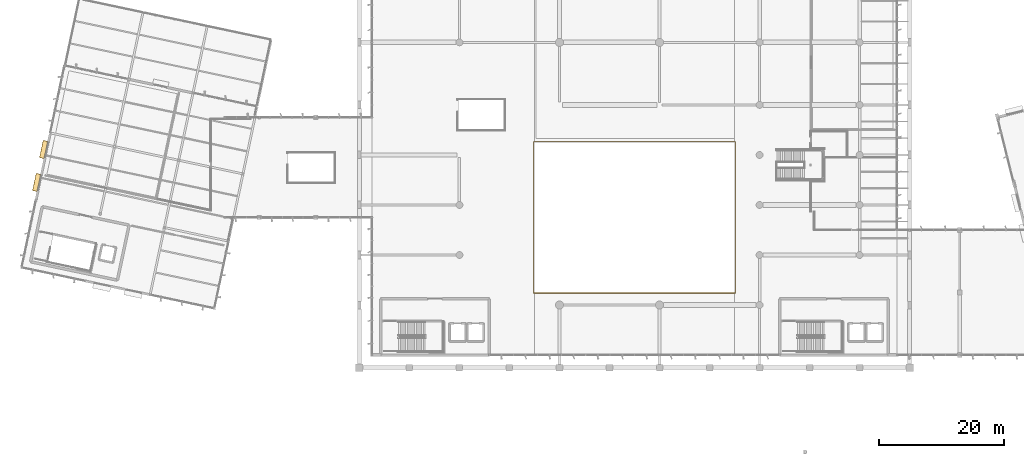
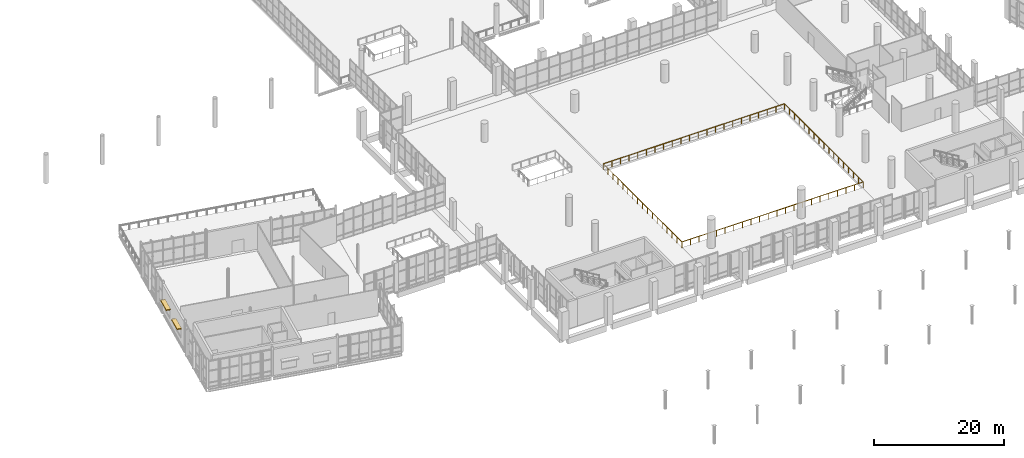
# One storey, part 163 of 176: 2 coverings, 2 shading devices, 1 railing.
"""IFC4 building model written with IfcOpenShell, lengths in metres."""

from ifc_helpers import new_model, si_unit, direction, frame, origin, origin_2d, place, context, subcontext, project, spatial, rectangle, extrude, material, layer, layer_set, type_object, element, save


model = new_model("IFC4")

# Units and contexts
model_context = context("Model", 3, precision=1e-05, world=origin(), true_north=direction((0.0, 1.0)))
body_context = subcontext(model_context, "Body", "Model", "MODEL_VIEW")
ifc_project = project(units=[si_unit("LENGTHUNIT", "METRE"), si_unit("AREAUNIT", "SQUARE_METRE"), si_unit("VOLUMEUNIT", "CUBIC_METRE"), si_unit("PLANEANGLEUNIT", "RADIAN"), si_unit("MASSUNIT", "GRAM", prefix="KILO")], contexts=[model_context])

# Site, building, storey
site_placement = place(None, origin())
site = spatial("IfcSite", under=ifc_project, at=site_placement, CompositionType="ELEMENT")
building_placement = place(site_placement, origin())
building = spatial("IfcBuilding", under=site, at=building_placement, Name="Khorjan Park Terminus", CompositionType="ELEMENT")
storey_placement = place(building_placement, frame((0.0, 0.0, 6.0)))
storey = spatial("IfcBuildingStorey", under=building, at=storey_placement, Name="L01", CompositionType="ELEMENT", Elevation=6.0)

# Coverings
ifc_material_1 = material(Name="Pigmented Precast GRC", Category="concrete")
ifc_layer = layer(ifc_material_1, 0.18)
ifc_layer_set = layer_set([ifc_layer], Name="Pigmented Precast GRC")
covering_type = type_object("IfcCoveringType", Name="CV-HOOD-GRC", PredefinedType="CLADDING", material=ifc_layer_set)
for number, where, z_axis, x_axis, name in (
    (1, (-2.489, 60.8749, 2.73), (0.0, 0.0, 1.0), (-0.207914283184, -0.978147049706, 0.0), "Projecting desert-sandstone GRC window eyebrow CL-HD1 (EW-V4-W-L01-B02-1)"),
    (2, (-3.6085, 55.6079, 2.73), (0.0, 0.0, 1.0), (-0.207914283184, -0.978147049706, 0.0), "Projecting desert-sandstone GRC window eyebrow CL-HD1 (EW-V4-W-L01-B02-2)"),
):
    element("IfcCovering", number, at=place(storey_placement, frame(where, z_axis=z_axis, x_axis=x_axis)), inside=storey, type_object=covering_type, Name=name, PredefinedType="CLADDING", context=body_context, shape_type="SweptSolid", body=[
        extrude(rectangle(XDim=2.84, YDim=0.74, at=origin_2d()), origin(), (0.0, 0.0, 1.0), 0.16),
    ])

# Railing
ifc_material_2 = material(Name="Anodized Bronze Aluminium & Laminated Glass", Category="aluminium")
railing_type = type_object("IfcRailingType", Name="GR-BAL", PredefinedType="BALUSTRADE", material=ifc_material_2)
railing_placement = place(storey_placement, frame((75.9, 37.9, 0.0)))
element("IfcRailing", 3, at=railing_placement, inside=storey, type_object=railing_type, Name="Perimeter safety guard GB-112 (L01-44)", PredefinedType="BALUSTRADE", context=body_context, shape_type="SweptSolid", body=[
    extrude(rectangle(XDim=0.048, YDim=0.048, at=origin_2d()), frame((0.0, 0.0, 1.096), z_axis=(1.0, 0.0, 0.0), x_axis=(0.0, 1.0, 0.0)), (0.0, 0.0, 1.0), 32.2),
    extrude(rectangle(XDim=0.048, YDim=0.048, at=origin_2d()), frame((32.2, 0.0, 1.096), z_axis=(0.0, 1.0, 0.0), x_axis=(-1.0, 0.0, 0.0)), (0.0, 0.0, 1.0), 24.2),
    extrude(rectangle(XDim=0.048, YDim=0.048, at=origin_2d()), frame((32.2, 24.2, 1.096), z_axis=(-1.0, 0.0, 0.0), x_axis=(0.0, -1.0, 0.0)), (0.0, 0.0, 1.0), 32.2),
    extrude(rectangle(XDim=0.048, YDim=0.048, at=origin_2d()), frame((0.0, 24.2, 1.096), z_axis=(0.0, -1.0, 0.0), x_axis=(1.0, 0.0, 0.0)), (0.0, 0.0, 1.0), 24.2),
    extrude(rectangle(XDim=0.042, YDim=0.042, at=origin_2d()), origin(), (0.0, 0.0, 1.0), 1.072),
    extrude(rectangle(XDim=0.042, YDim=0.042, at=origin_2d()), frame((1.5333, 0.0, 0.0)), (0.0, 0.0, 1.0), 1.072),
    extrude(rectangle(XDim=0.042, YDim=0.042, at=origin_2d()), frame((3.0667, 0.0, 0.0)), (0.0, 0.0, 1.0), 1.072),
    extrude(rectangle(XDim=0.042, YDim=0.042, at=origin_2d()), frame((4.6, 0.0, 0.0)), (0.0, 0.0, 1.0), 1.072),
    extrude(rectangle(XDim=0.042, YDim=0.042, at=origin_2d()), frame((6.1333, 0.0, 0.0)), (0.0, 0.0, 1.0), 1.072),
    extrude(rectangle(XDim=0.042, YDim=0.042, at=origin_2d()), frame((7.6667, 0.0, 0.0)), (0.0, 0.0, 1.0), 1.072),
    extrude(rectangle(XDim=0.042, YDim=0.042, at=origin_2d()), frame((9.2, 0.0, 0.0)), (0.0, 0.0, 1.0), 1.072),
    extrude(rectangle(XDim=0.042, YDim=0.042, at=origin_2d()), frame((10.7333, 0.0, 0.0)), (0.0, 0.0, 1.0), 1.072),
    extrude(rectangle(XDim=0.042, YDim=0.042, at=origin_2d()), frame((12.2667, 0.0, 0.0)), (0.0, 0.0, 1.0), 1.072),
    extrude(rectangle(XDim=0.042, YDim=0.042, at=origin_2d()), frame((13.8, 0.0, 0.0)), (0.0, 0.0, 1.0), 1.072),
    extrude(rectangle(XDim=0.042, YDim=0.042, at=origin_2d()), frame((15.3333, 0.0, 0.0)), (0.0, 0.0, 1.0), 1.072),
    extrude(rectangle(XDim=0.042, YDim=0.042, at=origin_2d()), frame((16.8667, 0.0, 0.0)), (0.0, 0.0, 1.0), 1.072),
    extrude(rectangle(XDim=0.042, YDim=0.042, at=origin_2d()), frame((18.4, 0.0, 0.0)), (0.0, 0.0, 1.0), 1.072),
    extrude(rectangle(XDim=0.042, YDim=0.042, at=origin_2d()), frame((19.9333, 0.0, 0.0)), (0.0, 0.0, 1.0), 1.072),
    extrude(rectangle(XDim=0.042, YDim=0.042, at=origin_2d()), frame((21.4667, 0.0, 0.0)), (0.0, 0.0, 1.0), 1.072),
    extrude(rectangle(XDim=0.042, YDim=0.042, at=origin_2d()), frame((23.0, 0.0, 0.0)), (0.0, 0.0, 1.0), 1.072),
    extrude(rectangle(XDim=0.042, YDim=0.042, at=origin_2d()), frame((24.5333, 0.0, 0.0)), (0.0, 0.0, 1.0), 1.072),
    extrude(rectangle(XDim=0.042, YDim=0.042, at=origin_2d()), frame((26.0667, 0.0, 0.0)), (0.0, 0.0, 1.0), 1.072),
    extrude(rectangle(XDim=0.042, YDim=0.042, at=origin_2d()), frame((27.6, 0.0, 0.0)), (0.0, 0.0, 1.0), 1.072),
    extrude(rectangle(XDim=0.042, YDim=0.042, at=origin_2d()), frame((29.1333, 0.0, 0.0)), (0.0, 0.0, 1.0), 1.072),
    extrude(rectangle(XDim=0.042, YDim=0.042, at=origin_2d()), frame((30.6667, 0.0, 0.0)), (0.0, 0.0, 1.0), 1.072),
    extrude(rectangle(XDim=0.042, YDim=0.042, at=origin_2d()), frame((32.2, 0.0, 0.0)), (0.0, 0.0, 1.0), 1.072),
    extrude(rectangle(XDim=0.042, YDim=0.042, at=origin_2d()), frame((32.2, 1.5125, 0.0)), (0.0, 0.0, 1.0), 1.072),
    extrude(rectangle(XDim=0.042, YDim=0.042, at=origin_2d()), frame((32.2, 3.025, 0.0)), (0.0, 0.0, 1.0), 1.072),
    extrude(rectangle(XDim=0.042, YDim=0.042, at=origin_2d()), frame((32.2, 4.5375, 0.0)), (0.0, 0.0, 1.0), 1.072),
    extrude(rectangle(XDim=0.042, YDim=0.042, at=origin_2d()), frame((32.2, 6.05, 0.0)), (0.0, 0.0, 1.0), 1.072),
    extrude(rectangle(XDim=0.042, YDim=0.042, at=origin_2d()), frame((32.2, 7.5625, 0.0)), (0.0, 0.0, 1.0), 1.072),
    extrude(rectangle(XDim=0.042, YDim=0.042, at=origin_2d()), frame((32.2, 9.075, 0.0)), (0.0, 0.0, 1.0), 1.072),
    extrude(rectangle(XDim=0.042, YDim=0.042, at=origin_2d()), frame((32.2, 10.5875, 0.0)), (0.0, 0.0, 1.0), 1.072),
    extrude(rectangle(XDim=0.042, YDim=0.042, at=origin_2d()), frame((32.2, 12.1, 0.0)), (0.0, 0.0, 1.0), 1.072),
    extrude(rectangle(XDim=0.042, YDim=0.042, at=origin_2d()), frame((32.2, 13.6125, 0.0)), (0.0, 0.0, 1.0), 1.072),
    extrude(rectangle(XDim=0.042, YDim=0.042, at=origin_2d()), frame((32.2, 15.125, 0.0)), (0.0, 0.0, 1.0), 1.072),
    extrude(rectangle(XDim=0.042, YDim=0.042, at=origin_2d()), frame((32.2, 16.6375, 0.0)), (0.0, 0.0, 1.0), 1.072),
    extrude(rectangle(XDim=0.042, YDim=0.042, at=origin_2d()), frame((32.2, 18.15, 0.0)), (0.0, 0.0, 1.0), 1.072),
    extrude(rectangle(XDim=0.042, YDim=0.042, at=origin_2d()), frame((32.2, 19.6625, 0.0)), (0.0, 0.0, 1.0), 1.072),
    extrude(rectangle(XDim=0.042, YDim=0.042, at=origin_2d()), frame((32.2, 21.175, 0.0)), (0.0, 0.0, 1.0), 1.072),
    extrude(rectangle(XDim=0.042, YDim=0.042, at=origin_2d()), frame((32.2, 22.6875, 0.0)), (0.0, 0.0, 1.0), 1.072),
    extrude(rectangle(XDim=0.042, YDim=0.042, at=origin_2d()), frame((32.2, 24.2, 0.0)), (0.0, 0.0, 1.0), 1.072),
    extrude(rectangle(XDim=0.042, YDim=0.042, at=origin_2d()), frame((30.6667, 24.2, 0.0)), (0.0, 0.0, 1.0), 1.072),
    extrude(rectangle(XDim=0.042, YDim=0.042, at=origin_2d()), frame((29.1333, 24.2, 0.0)), (0.0, 0.0, 1.0), 1.072),
    extrude(rectangle(XDim=0.042, YDim=0.042, at=origin_2d()), frame((27.6, 24.2, 0.0)), (0.0, 0.0, 1.0), 1.072),
    extrude(rectangle(XDim=0.042, YDim=0.042, at=origin_2d()), frame((26.0667, 24.2, 0.0)), (0.0, 0.0, 1.0), 1.072),
    extrude(rectangle(XDim=0.042, YDim=0.042, at=origin_2d()), frame((24.5333, 24.2, 0.0)), (0.0, 0.0, 1.0), 1.072),
    extrude(rectangle(XDim=0.042, YDim=0.042, at=origin_2d()), frame((23.0, 24.2, 0.0)), (0.0, 0.0, 1.0), 1.072),
    extrude(rectangle(XDim=0.042, YDim=0.042, at=origin_2d()), frame((21.4667, 24.2, 0.0)), (0.0, 0.0, 1.0), 1.072),
    extrude(rectangle(XDim=0.042, YDim=0.042, at=origin_2d()), frame((19.9333, 24.2, 0.0)), (0.0, 0.0, 1.0), 1.072),
    extrude(rectangle(XDim=0.042, YDim=0.042, at=origin_2d()), frame((18.4, 24.2, 0.0)), (0.0, 0.0, 1.0), 1.072),
    extrude(rectangle(XDim=0.042, YDim=0.042, at=origin_2d()), frame((16.8667, 24.2, 0.0)), (0.0, 0.0, 1.0), 1.072),
    extrude(rectangle(XDim=0.042, YDim=0.042, at=origin_2d()), frame((15.3333, 24.2, 0.0)), (0.0, 0.0, 1.0), 1.072),
    extrude(rectangle(XDim=0.042, YDim=0.042, at=origin_2d()), frame((13.8, 24.2, 0.0)), (0.0, 0.0, 1.0), 1.072),
    extrude(rectangle(XDim=0.042, YDim=0.042, at=origin_2d()), frame((12.2667, 24.2, 0.0)), (0.0, 0.0, 1.0), 1.072),
    extrude(rectangle(XDim=0.042, YDim=0.042, at=origin_2d()), frame((10.7333, 24.2, 0.0)), (0.0, 0.0, 1.0), 1.072),
    extrude(rectangle(XDim=0.042, YDim=0.042, at=origin_2d()), frame((9.2, 24.2, 0.0)), (0.0, 0.0, 1.0), 1.072),
    extrude(rectangle(XDim=0.042, YDim=0.042, at=origin_2d()), frame((7.6667, 24.2, 0.0)), (0.0, 0.0, 1.0), 1.072),
    extrude(rectangle(XDim=0.042, YDim=0.042, at=origin_2d()), frame((6.1333, 24.2, 0.0)), (0.0, 0.0, 1.0), 1.072),
    extrude(rectangle(XDim=0.042, YDim=0.042, at=origin_2d()), frame((4.6, 24.2, 0.0)), (0.0, 0.0, 1.0), 1.072),
    extrude(rectangle(XDim=0.042, YDim=0.042, at=origin_2d()), frame((3.0667, 24.2, 0.0)), (0.0, 0.0, 1.0), 1.072),
    extrude(rectangle(XDim=0.042, YDim=0.042, at=origin_2d()), frame((1.5333, 24.2, 0.0)), (0.0, 0.0, 1.0), 1.072),
    extrude(rectangle(XDim=0.042, YDim=0.042, at=origin_2d()), frame((0.0, 24.2, 0.0)), (0.0, 0.0, 1.0), 1.072),
    extrude(rectangle(XDim=0.042, YDim=0.042, at=origin_2d()), frame((0.0, 22.6875, 0.0)), (0.0, 0.0, 1.0), 1.072),
    extrude(rectangle(XDim=0.042, YDim=0.042, at=origin_2d()), frame((0.0, 21.175, 0.0)), (0.0, 0.0, 1.0), 1.072),
    extrude(rectangle(XDim=0.042, YDim=0.042, at=origin_2d()), frame((0.0, 19.6625, 0.0)), (0.0, 0.0, 1.0), 1.072),
    extrude(rectangle(XDim=0.042, YDim=0.042, at=origin_2d()), frame((0.0, 18.15, 0.0)), (0.0, 0.0, 1.0), 1.072),
    extrude(rectangle(XDim=0.042, YDim=0.042, at=origin_2d()), frame((0.0, 16.6375, 0.0)), (0.0, 0.0, 1.0), 1.072),
    extrude(rectangle(XDim=0.042, YDim=0.042, at=origin_2d()), frame((0.0, 15.125, 0.0)), (0.0, 0.0, 1.0), 1.072),
    extrude(rectangle(XDim=0.042, YDim=0.042, at=origin_2d()), frame((0.0, 13.6125, 0.0)), (0.0, 0.0, 1.0), 1.072),
    extrude(rectangle(XDim=0.042, YDim=0.042, at=origin_2d()), frame((0.0, 12.1, 0.0)), (0.0, 0.0, 1.0), 1.072),
    extrude(rectangle(XDim=0.042, YDim=0.042, at=origin_2d()), frame((0.0, 10.5875, 0.0)), (0.0, 0.0, 1.0), 1.072),
    extrude(rectangle(XDim=0.042, YDim=0.042, at=origin_2d()), frame((0.0, 9.075, 0.0)), (0.0, 0.0, 1.0), 1.072),
    extrude(rectangle(XDim=0.042, YDim=0.042, at=origin_2d()), frame((0.0, 7.5625, 0.0)), (0.0, 0.0, 1.0), 1.072),
    extrude(rectangle(XDim=0.042, YDim=0.042, at=origin_2d()), frame((0.0, 6.05, 0.0)), (0.0, 0.0, 1.0), 1.072),
    extrude(rectangle(XDim=0.042, YDim=0.042, at=origin_2d()), frame((0.0, 4.5375, 0.0)), (0.0, 0.0, 1.0), 1.072),
    extrude(rectangle(XDim=0.042, YDim=0.042, at=origin_2d()), frame((0.0, 3.025, 0.0)), (0.0, 0.0, 1.0), 1.072),
    extrude(rectangle(XDim=0.042, YDim=0.042, at=origin_2d()), frame((0.0, 1.5125, 0.0)), (0.0, 0.0, 1.0), 1.072),
])

# Shading devices
ifc_material_3 = material(Name="Anodized Bronze Aluminium", Category="aluminium")
shading_device_type = type_object("IfcShadingDeviceType", Name="SD-SUN-750", PredefinedType="SHUTTER", material=ifc_material_3)
for number, where, z_axis, x_axis, name in (
    (4, (-2.489, 60.8749, 2.66), (0.0, 0.0, 1.0), (-0.207914283184, -0.978147049706, 0.0), "Projecting solar overhang hood SH-75 (EW-V4-W-L01-B02-1)"),
    (5, (-3.6085, 55.6079, 2.66), (0.0, 0.0, 1.0), (-0.207914283184, -0.978147049706, 0.0), "Projecting solar overhang hood SH-75 (EW-V4-W-L01-B02-2)"),
):
    element("IfcShadingDevice", number, at=place(storey_placement, frame(where, z_axis=z_axis, x_axis=x_axis)), inside=storey, type_object=shading_device_type, Name=name, PredefinedType="SHUTTER", context=body_context, shape_type="SweptSolid", body=[
        extrude(rectangle(XDim=2.76, YDim=0.76, at=origin_2d()), origin(), (0.0, 0.0, 1.0), 0.14),
    ])

save(model, "model.ifc")
